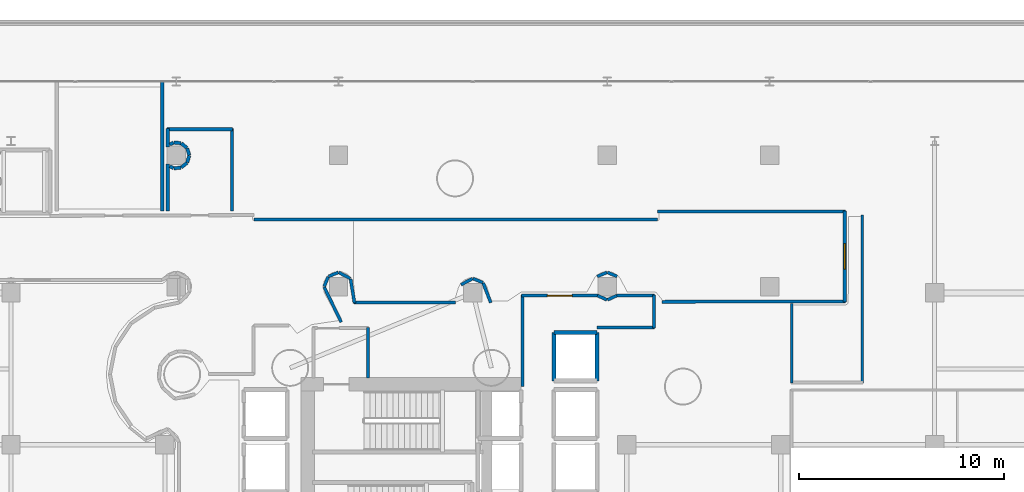
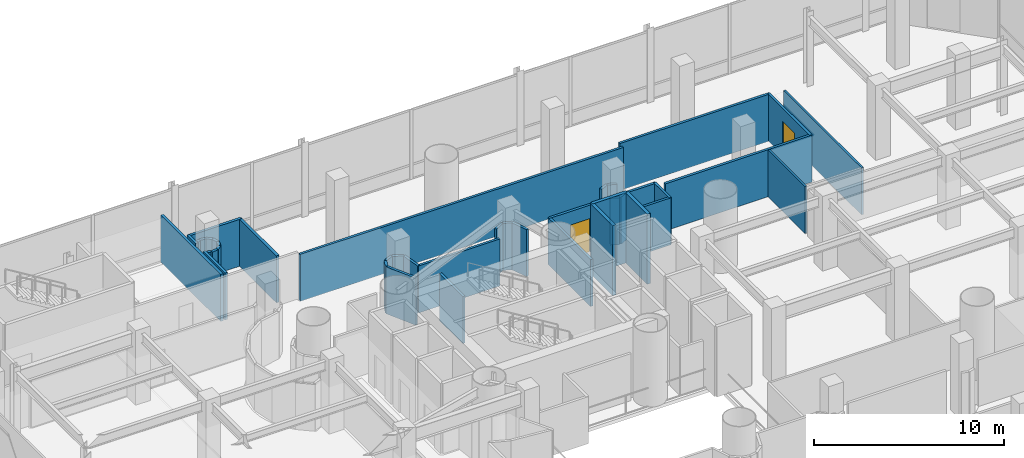
# One storey, part 29 of 39: 41 walls, 2 doors, 2 openings.
"""IFC4 building model written with IfcOpenShell, lengths in metres."""

from ifc_helpers import new_model, si_unit, direction, frame, frame_2d, origin, place, context, subcontext, project, spatial, rectangle, extrude, material, layer, layer_set, type_object, element, fill, save


model = new_model("IFC4")

# Units and contexts
model_context = context("Model", 3, precision=1e-05, world=origin(), true_north=direction((0.0, 1.0)))
body_context = subcontext(model_context, "Body", "Model", "MODEL_VIEW")
ifc_project = project(units=[si_unit("LENGTHUNIT", "METRE"), si_unit("AREAUNIT", "SQUARE_METRE"), si_unit("VOLUMEUNIT", "CUBIC_METRE"), si_unit("PLANEANGLEUNIT", "RADIAN"), si_unit("MASSUNIT", "GRAM", prefix="KILO")], contexts=[model_context])

# Site, building, storey
site_placement = place(None, origin())
site = spatial("IfcSite", under=ifc_project, at=site_placement, CompositionType="ELEMENT")
building_placement = place(site_placement, origin())
building = spatial("IfcBuilding", under=site, at=building_placement, Name="Qianvela Tower", CompositionType="ELEMENT")
storey_placement = place(building_placement, frame((0.0, 0.0, 15.800048828125)))
storey = spatial("IfcBuildingStorey", under=building, at=storey_placement, Name="L03", CompositionType="ELEMENT", Elevation=15.800048828125)

# Walls
ifc_material_1 = material(Name="Fire-Rated Acoustic Gypsum Board")
ifc_layer_1 = layer(ifc_material_1, 0.14990234375)
ifc_layer_set_1 = layer_set([ifc_layer_1], Name="Fire-Rated Acoustic Gypsum Board")
wall_type_1 = type_object("IfcWallType", Name="WT-CORR-150", PredefinedType="PARTITIONING", material=ifc_layer_set_1)
wall_1_placement = place(storey_placement, frame((32.388916015625, 35.52001953125, 0.0), z_axis=(0.0, 0.0, 1.0), x_axis=(0.0, -1.0, 0.0)))
element("IfcWall", 1, at=wall_1_placement, inside=storey, type_object=wall_type_1, Name="L03 Partition 4", PredefinedType="PARTITIONING", context=body_context, shape_type="SweptSolid", body=[
    extrude(rectangle(XDim=2.4619140625, YDim=0.14990234375, at=frame_2d((1.23095703125, 0.0))), origin(), (0.0, 0.0, 1.0), 3.02001953125),
])
wall_2_placement = place(storey_placement, frame((39.910888671875, 32.639892578125, 0.0), z_axis=(0.0, 0.0, 1.0), x_axis=(0.0, 1.0, 0.0)))
element("IfcWall", 2, at=wall_2_placement, inside=storey, type_object=wall_type_1, Name="L03 Partition 14", PredefinedType="PARTITIONING", context=body_context, shape_type="SweptSolid", body=[
    extrude(rectangle(XDim=4.460205078125, YDim=0.14990234375, at=frame_2d((2.22998046875, 0.0))), origin(), (0.0, 0.0, 1.0), 3.02001953125),
])

# Wall, opening, door
wall_3_placement = place(storey_placement, frame((39.8798828125, 37.069091796875, 0.0), z_axis=(0.0, 0.0, 1.0), x_axis=(1.0, 0.0, 0.0)))
wall_3 = element("IfcWall", 3, at=wall_3_placement, inside=storey, type_object=wall_type_1, Name="L03 Partition 15", PredefinedType="PARTITIONING", context=body_context, shape_type="SweptSolid", body=[
    extrude(rectangle(XDim=3.70751953125, YDim=0.14990234375, at=frame_2d((1.853759765625, 0.0))), origin(), (0.0, 0.0, 1.0), 3.02001953125),
])
opening_1_placement = place(wall_3_placement, frame((1.253662109375, 0.0, 0.0)))
opening_1 = element("IfcOpeningElement", 4, at=opening_1_placement, cuts=wall_3, Name="Opening D-LB1", PredefinedType="OPENING", context=body_context, shape_type="SweptSolid", body=[
    extrude(rectangle(XDim=1.199951171875, YDim=2.14990234375, at=frame_2d((0.60009765625, 1.074951171875))), frame((0.0, 0.0849609375, 0.0), z_axis=(0.0, -1.0, 0.0), x_axis=(1.0, 0.0, 0.0)), (0.0, 0.0, 1.0), 0.169921875),
])
ifc_material_2 = material(Name="Glazed Fire-Rated Steel Frame", Category="steel")
door_type_1 = type_object("IfcDoorType", Name="DT-LOBBY-FD90", OperationType="NOTDEFINED", PredefinedType="DOOR", material=ifc_material_2)
door_1_placement = place(opening_1_placement, origin())
door_1 = element("IfcDoor", 5, at=door_1_placement, inside=storey, type_object=door_type_1, Name="L03 Door L03 Lift Lobby to L03 Concourse Gallery Corridor", OperationType="SINGLE_SWING_RIGHT", OverallHeight=2.14990234375, OverallWidth=1.199951171875, PredefinedType="DOOR", context=body_context, shape_type="SweptSolid", body=[
    extrude(rectangle(XDim=1.199951171875, YDim=2.14990234375, at=frame_2d((0.60009765625, 1.074951171875))), frame((0.0, 0.02490234375, 0.0), z_axis=(0.0, -1.0, 0.0), x_axis=(1.0, 0.0, 0.0)), (0.0, 0.0, 1.0), 0.050048828125),
])
fill(opening_1, door_1)

# Walls
for number, where, z_axis, x_axis, name in (
    (6, (43.57470703125, 37.07177734375, 0.0), (0.0, 0.0, 1.0), (0.908696751383, -0.417456840913, 0.0), "L03 Partition 16"),
    (7, (44.0576171875, 36.86181640625, 0.0), (0.0, 0.0, 1.0), (0.908696751383, 0.417456840913, 0.0), "L03 Partition 17"),
):
    element("IfcWall", number, at=place(storey_placement, frame(where, z_axis=z_axis, x_axis=x_axis)), inside=storey, type_object=wall_type_1, Name=name, PredefinedType="PARTITIONING", context=body_context, shape_type="SweptSolid", body=[
        extrude(rectangle(XDim=0.5029296875, YDim=0.14990234375, at=frame_2d((0.25146484375, 0.0))), origin(), (0.0, 0.0, 1.0), 3.02001953125),
    ])
wall_4_placement = place(storey_placement, frame((44.501708984375, 37.069091796875, 0.0), z_axis=(0.0, 0.0, 1.0), x_axis=(1.0, 0.0, 0.0)))
element("IfcWall", 8, at=wall_4_placement, inside=storey, type_object=wall_type_1, Name="L03 Partition 18", PredefinedType="PARTITIONING", context=body_context, shape_type="SweptSolid", body=[
    extrude(rectangle(XDim=1.8583984375, YDim=0.14990234375, at=frame_2d((0.92919921875, 0.0))), origin(), (0.0, 0.0, 1.0), 3.02001953125),
])
wall_5_placement = place(storey_placement, frame((46.3291015625, 37.10009765625, 0.0), z_axis=(0.0, 0.0, 1.0), x_axis=(0.0, -1.0, 0.0)))
element("IfcWall", 9, at=wall_5_placement, inside=storey, type_object=wall_type_1, Name="L03 Partition 19", PredefinedType="PARTITIONING", context=body_context, shape_type="SweptSolid", body=[
    extrude(rectangle(XDim=1.6201171875, YDim=0.14990234375, at=frame_2d((0.81005859375, 0.0))), origin(), (0.0, 0.0, 1.0), 3.02001953125),
])
wall_6_placement = place(storey_placement, frame((46.360107421875, 35.510986328125, 0.0), z_axis=(0.0, 0.0, 1.0), x_axis=(-1.0, 0.0, 0.0)))
element("IfcWall", 10, at=wall_6_placement, inside=storey, type_object=wall_type_1, Name="L03 Partition 20 seg 1", PredefinedType="PARTITIONING", context=body_context, shape_type="SweptSolid", body=[
    extrude(rectangle(XDim=2.81005859375, YDim=0.14990234375, at=frame_2d((1.405029296875, 0.0))), origin(), (0.0, 0.0, 1.0), 3.02001953125),
])
wall_7_placement = place(storey_placement, frame((26.85009765625, 40.76904296875, 0.0), z_axis=(0.0, 0.0, 1.0), x_axis=(1.0, 0.0, 0.0)))
element("IfcWall", 11, at=wall_7_placement, inside=storey, type_object=wall_type_1, Name="L03 Partition 116", PredefinedType="PARTITIONING", context=body_context, shape_type="SweptSolid", body=[
    extrude(rectangle(XDim=19.64990234375, YDim=0.14990234375, at=frame_2d((9.824951171875, 0.0))), origin(), (0.0, 0.0, 1.0), 3.02001953125),
])
wall_8_placement = place(storey_placement, frame((46.5, 41.1689453125, 0.0), z_axis=(0.0, 0.0, 1.0), x_axis=(1.0, 0.0, 0.0)))
element("IfcWall", 12, at=wall_8_placement, inside=storey, type_object=wall_type_1, Name="L03 Partition 117", PredefinedType="PARTITIONING", context=body_context, shape_type="SweptSolid", body=[
    extrude(rectangle(XDim=9.14990234375, YDim=0.14990234375, at=frame_2d((4.574951171875, 0.0))), origin(), (0.0, 0.0, 1.0), 3.02001953125),
])

# Wall, opening, door
wall_9_placement = place(storey_placement, frame((55.618896484375, 41.199951171875, 0.0), z_axis=(0.0, 0.0, 1.0), x_axis=(0.0, -1.0, 0.0)))
wall_9 = element("IfcWall", 13, at=wall_9_placement, inside=storey, type_object=wall_type_1, Name="L03 Partition 118", PredefinedType="PARTITIONING", context=body_context, shape_type="SweptSolid", body=[
    extrude(rectangle(XDim=4.441650390625, YDim=0.14990234375, at=frame_2d((2.220703125, 0.0))), origin(), (0.0, 0.0, 1.0), 3.02001953125),
])
opening_2_placement = place(wall_9_placement, frame((1.595703125, 0.0, 0.0)))
opening_2 = element("IfcOpeningElement", 14, at=opening_2_placement, cuts=wall_9, Name="Opening D-LG1", PredefinedType="OPENING", context=body_context, shape_type="SweptSolid", body=[
    extrude(rectangle(XDim=1.25, YDim=2.199951171875, at=frame_2d((0.625, 1.10009765625))), frame((0.0, 0.0849609375, 0.0), z_axis=(0.0, -1.0, 0.0), x_axis=(1.0, 0.0, 0.0)), (0.0, 0.0, 1.0), 0.169921875),
])
ifc_material_3 = material(Name="Anodised Aluminium Acoustic Glass Door", Category="aluminium")
door_type_2 = type_object("IfcDoorType", Name="DT-LOUNGE-1250", OperationType="NOTDEFINED", PredefinedType="DOOR", material=ifc_material_3)
door_2_placement = place(opening_2_placement, origin())
door_2 = element("IfcDoor", 15, at=door_2_placement, inside=storey, type_object=door_type_2, Name="L03 Door L03 Graduate Seminar Classroom to L03 Concourse Gallery Corridor", OperationType="SINGLE_SWING_LEFT", OverallHeight=2.199951171875, OverallWidth=1.25, PredefinedType="DOOR", context=body_context, shape_type="SweptSolid", body=[
    extrude(rectangle(XDim=1.25, YDim=2.199951171875, at=frame_2d((0.625, 1.10009765625))), frame((0.0, 0.02490234375, 0.0), z_axis=(0.0, -1.0, 0.0), x_axis=(1.0, 0.0, 0.0)), (0.0, 0.0, 1.0), 0.050048828125),
])
fill(opening_2, door_2)

# Walls
wall_10_placement = place(storey_placement, frame((55.64990234375, 36.789306640625, 0.0), z_axis=(0.0, 0.0, 1.0), x_axis=(-0.999996901459, -0.002489391821, 0.0)))
element("IfcWall", 16, at=wall_10_placement, inside=storey, type_object=wall_type_1, Name="L03 Partition 119", PredefinedType="PARTITIONING", context=body_context, shape_type="SweptSolid", body=[
    extrude(rectangle(XDim=8.924560546875, YDim=0.14990234375, at=frame_2d((4.46240234375, 0.0))), origin(), (0.0, 0.0, 1.0), 3.02001953125),
])
wall_11_placement = place(storey_placement, frame((44.5302734375, 38.00244140625, 0.0), z_axis=(0.0, 0.0, 1.0), x_axis=(-0.924045828763, 0.382281710714, 0.0)))
element("IfcWall", 17, at=wall_11_placement, inside=storey, type_object=wall_type_1, Name="L03 Partition 122", PredefinedType="PARTITIONING", context=body_context, shape_type="SweptSolid", body=[
    extrude(rectangle(XDim=0.512939453125, YDim=0.14990234375, at=frame_2d((0.25634765625, 0.0))), origin(), (0.0, 0.0, 1.0), 3.02001953125),
])
wall_12_placement = place(storey_placement, frame((44.03271484375, 38.198486328125, 0.0), z_axis=(0.0, 0.0, 1.0), x_axis=(-0.923976210744, -0.382449947024, 0.0)))
element("IfcWall", 18, at=wall_12_placement, inside=storey, type_object=wall_type_1, Name="L03 Partition 123", PredefinedType="PARTITIONING", context=body_context, shape_type="SweptSolid", body=[
    extrude(rectangle(XDim=0.5126953125, YDim=0.14990234375, at=frame_2d((0.25634765625, 0.0))), origin(), (0.0, 0.0, 1.0), 3.02001953125),
])
wall_13_placement = place(storey_placement, frame((38.372802734375, 36.726318359375, 0.0), z_axis=(0.0, 0.0, 1.0), x_axis=(-0.360220716068, 0.932867105067, 0.0)))
element("IfcWall", 19, at=wall_13_placement, inside=storey, type_object=wall_type_1, Name="L03 Partition 128", PredefinedType="PARTITIONING", context=body_context, shape_type="SweptSolid", body=[
    extrude(rectangle(XDim=1.027587890625, YDim=0.14990234375, at=frame_2d((0.513671875, 0.0))), origin(), (0.0, 0.0, 1.0), 3.02001953125),
])
wall_14_placement = place(storey_placement, frame((37.985595703125, 37.702392578125, 0.0), z_axis=(0.0, 0.0, 1.0), x_axis=(-0.923807847969, 0.382856448334, 0.0)))
element("IfcWall", 20, at=wall_14_placement, inside=storey, type_object=wall_type_1, Name="L03 Partition 129", PredefinedType="PARTITIONING", context=body_context, shape_type="SweptSolid", body=[
    extrude(rectangle(XDim=0.5126953125, YDim=0.14990234375, at=frame_2d((0.25634765625, 0.0))), origin(), (0.0, 0.0, 1.0), 3.02001953125),
])
wall_15_placement = place(storey_placement, frame((37.4853515625, 37.897216796875, 0.0), z_axis=(0.0, 0.0, 1.0), x_axis=(-0.882042462076, -0.471169921679, 0.0)))
element("IfcWall", 21, at=wall_15_placement, inside=storey, type_object=wall_type_1, Name="L03 Partition 130", PredefinedType="PARTITIONING", context=body_context, shape_type="SweptSolid", body=[
    extrude(rectangle(XDim=0.631591796875, YDim=0.14990234375, at=frame_2d((0.31591796875, 0.0))), origin(), (0.0, 0.0, 1.0), 3.02001953125),
])
wall_16_placement = place(storey_placement, frame((36.65478515625, 36.741943359375, 0.0), z_axis=(0.0, 0.0, 1.0), x_axis=(-0.999996836988, -0.00251515701, 0.0)))
element("IfcWall", 22, at=wall_16_placement, inside=storey, type_object=wall_type_1, Name="L03 Partition 132", PredefinedType="PARTITIONING", context=body_context, shape_type="SweptSolid", body=[
    extrude(rectangle(XDim=4.950439453125, YDim=0.14990234375, at=frame_2d((2.47509765625, 0.0))), origin(), (0.0, 0.0, 1.0), 3.02001953125),
])
wall_17_placement = place(storey_placement, frame((31.73486328125, 36.70361328125, 0.0), z_axis=(0.0, 0.0, 1.0), x_axis=(-0.161168629771, 0.986926883197, 0.0)))
element("IfcWall", 23, at=wall_17_placement, inside=storey, type_object=wall_type_1, Name="L03 Partition 133", PredefinedType="PARTITIONING", context=body_context, shape_type="SweptSolid", body=[
    extrude(rectangle(XDim=1.189208984375, YDim=0.14990234375, at=frame_2d((0.5947265625, 0.0))), origin(), (0.0, 0.0, 1.0), 3.02001953125),
])
wall_18_placement = place(storey_placement, frame((31.527099609375, 37.899658203125, 0.0), z_axis=(0.0, 0.0, 1.0), x_axis=(-0.882042462076, 0.471169921679, 0.0)))
element("IfcWall", 24, at=wall_18_placement, inside=storey, type_object=wall_type_1, Name="L03 Partition 134", PredefinedType="PARTITIONING", context=body_context, shape_type="SweptSolid", body=[
    extrude(rectangle(XDim=0.631591796875, YDim=0.14990234375, at=frame_2d((0.31591796875, 0.0))), origin(), (0.0, 0.0, 1.0), 3.02001953125),
])
wall_19_placement = place(storey_placement, frame((30.943603515625, 38.198486328125, 0.0), z_axis=(0.0, 0.0, 1.0), x_axis=(-0.924045828763, -0.382281710714, 0.0)))
element("IfcWall", 25, at=wall_19_placement, inside=storey, type_object=wall_type_1, Name="L03 Partition 135", PredefinedType="PARTITIONING", context=body_context, shape_type="SweptSolid", body=[
    extrude(rectangle(XDim=0.512939453125, YDim=0.14990234375, at=frame_2d((0.25634765625, 0.0))), origin(), (0.0, 0.0, 1.0), 3.02001953125),
])
wall_20_placement = place(storey_placement, frame((30.452880859375, 37.985595703125, 0.0), z_axis=(0.0, 0.0, 1.0), x_axis=(-0.382449947024, -0.923976210744, 0.0)))
element("IfcWall", 26, at=wall_20_placement, inside=storey, type_object=wall_type_1, Name="L03 Partition 136", PredefinedType="PARTITIONING", context=body_context, shape_type="SweptSolid", body=[
    extrude(rectangle(XDim=0.5126953125, YDim=0.14990234375, at=frame_2d((0.25634765625, 0.0))), origin(), (0.0, 0.0, 1.0), 3.02001953125),
])
wall_21_placement = place(storey_placement, frame((30.257568359375, 37.486572265625, 0.0), z_axis=(0.0, 0.0, 1.0), x_axis=(0.435698821732, -0.900092515657, 0.0)))
element("IfcWall", 27, at=wall_21_placement, inside=storey, type_object=wall_type_1, Name="L03 Partition 137", PredefinedType="PARTITIONING", context=body_context, shape_type="SweptSolid", body=[
    extrude(rectangle(XDim=1.897216796875, YDim=0.14990234375, at=frame_2d((0.94873046875, 0.0))), origin(), (0.0, 0.0, 1.0), 3.02001953125),
])
ifc_material_4 = material(Name="Insulated Gypsum Stud Partition")
ifc_layer_2 = layer(ifc_material_4, 0.1201171875)
ifc_layer_set_2 = layer_set([ifc_layer_2], Name="Insulated Gypsum Stud Partition")
wall_type_2 = type_object("IfcWallType", Name="WT-PART-120", PredefinedType="PARTITIONING", material=ifc_layer_set_2)
wall_22_placement = place(storey_placement, frame((53.031005859375, 32.800048828125, 0.0), z_axis=(0.0, 0.0, 1.0), x_axis=(0.0, 1.0, 0.0)))
element("IfcWall", 28, at=wall_22_placement, inside=storey, type_object=wall_type_2, Name="L03 Partition 231", PredefinedType="PARTITIONING", context=body_context, shape_type="SweptSolid", body=[
    extrude(rectangle(XDim=3.8896484375, YDim=0.1201171875, at=frame_2d((1.94482421875, 0.0))), origin(), (0.0, 0.0, 1.0), 3.02001953125),
])
wall_23_placement = place(storey_placement, frame((56.468994140625, 41.0, 0.0), z_axis=(0.0, 0.0, 1.0), x_axis=(0.0, -1.0, 0.0)))
element("IfcWall", 29, at=wall_23_placement, inside=storey, type_object=wall_type_2, Name="L03 Partition 234", PredefinedType="PARTITIONING", context=body_context, shape_type="SweptSolid", body=[
    extrude(rectangle(XDim=8.199951171875, YDim=0.1201171875, at=frame_2d((4.10009765625, 0.0))), origin(), (0.0, 0.0, 1.0), 3.02001953125),
])
ifc_material_5 = material(Name="Sanitary Service Chase Partition")
ifc_layer_3 = layer(ifc_material_5, 0.1650390625)
ifc_layer_set_3 = layer_set([ifc_layer_3], Name="Sanitary Service Chase Partition")
wall_type_3 = type_object("IfcWallType", Name="WT-PLUMB-165", PredefinedType="PLUMBINGWALL", material=ifc_layer_set_3)
wall_24_placement = place(storey_placement, frame((22.631103515625, 41.199951171875, 0.0), z_axis=(0.0, 0.0, 1.0), x_axis=(0.0, 1.0, 0.0)))
element("IfcWall", 30, at=wall_24_placement, inside=storey, type_object=wall_type_3, Name="L03 Partition 183", PredefinedType="PLUMBINGWALL", context=body_context, shape_type="SweptSolid", body=[
    extrude(rectangle(XDim=2.284912109375, YDim=0.1650390625, at=frame_2d((1.142578125, 0.0))), origin(), (0.0, 0.0, 1.0), 3.02001953125),
])
wall_25_placement = place(storey_placement, frame((22.739013671875, 43.37109375, 0.0), z_axis=(0.0, 0.0, 1.0), x_axis=(0.871509219389, -0.490379119172, 0.0)))
element("IfcWall", 31, at=wall_25_placement, inside=storey, type_object=wall_type_3, Name="L03 Partition 184", PredefinedType="PLUMBINGWALL", context=body_context, shape_type="SweptSolid", body=[
    extrude(rectangle(XDim=0.196533203125, YDim=0.1650390625, at=frame_2d((0.09814453125, 0.0))), origin(), (0.0, 0.0, 1.0), 3.02001953125),
])
wall_26_placement = place(storey_placement, frame((22.9287109375, 43.27099609375, 0.0), z_axis=(0.0, 0.0, 1.0), x_axis=(0.995193004206, 0.097933060705, 0.0)))
element("IfcWall", 32, at=wall_26_placement, inside=storey, type_object=wall_type_3, Name="L03 Partition 185", PredefinedType="PLUMBINGWALL", context=body_context, shape_type="SweptSolid", body=[
    extrude(rectangle(XDim=0.35400390625, YDim=0.1650390625, at=frame_2d((0.177001953125, 0.0))), origin(), (0.0, 0.0, 1.0), 3.02001953125),
])
for number, where, z_axis, x_axis, name in (
    (33, (23.297607421875, 43.3125, 0.0), (0.0, 0.0, 1.0), (0.773281307259, 0.634063103992, 0.0), "L03 Partition 186"),
    (34, (23.58154296875, 43.552001953125, 0.0), (0.0, 0.0, 1.0), (0.290064762301, 0.957007018611, 0.0), "L03 Partition 187"),
):
    element("IfcWall", number, at=place(storey_placement, frame(where, z_axis=z_axis, x_axis=x_axis)), inside=storey, type_object=wall_type_3, Name=name, PredefinedType="PLUMBINGWALL", context=body_context, shape_type="SweptSolid", body=[
        extrude(rectangle(XDim=0.354248046875, YDim=0.1650390625, at=frame_2d((0.17724609375, 0.0))), origin(), (0.0, 0.0, 1.0), 3.02001953125),
    ])
wall_27_placement = place(storey_placement, frame((23.684326171875, 43.908935546875, 0.0), z_axis=(0.0, 0.0, 1.0), x_axis=(-0.290256142171, 0.956948991291, 0.0)))
element("IfcWall", 35, at=wall_27_placement, inside=storey, type_object=wall_type_3, Name="L03 Partition 188", PredefinedType="PLUMBINGWALL", context=body_context, shape_type="SweptSolid", body=[
    extrude(rectangle(XDim=0.35400390625, YDim=0.1650390625, at=frame_2d((0.177001953125, 0.0))), origin(), (0.0, 0.0, 1.0), 3.02001953125),
])
wall_28_placement = place(storey_placement, frame((23.571533203125, 44.262939453125, 0.0), z_axis=(0.0, 0.0, 1.0), x_axis=(-0.773281307259, 0.634063103992, 0.0)))
element("IfcWall", 36, at=wall_28_placement, inside=storey, type_object=wall_type_3, Name="L03 Partition 189", PredefinedType="PLUMBINGWALL", context=body_context, shape_type="SweptSolid", body=[
    extrude(rectangle(XDim=0.354248046875, YDim=0.1650390625, at=frame_2d((0.17724609375, 0.0))), origin(), (0.0, 0.0, 1.0), 3.02001953125),
])
wall_29_placement = place(storey_placement, frame((23.281005859375, 44.494384765625, 0.0), z_axis=(0.0, 0.0, 1.0), x_axis=(-0.995193004206, 0.097933060705, 0.0)))
element("IfcWall", 37, at=wall_29_placement, inside=storey, type_object=wall_type_3, Name="L03 Partition 190", PredefinedType="PLUMBINGWALL", context=body_context, shape_type="SweptSolid", body=[
    extrude(rectangle(XDim=0.35400390625, YDim=0.1650390625, at=frame_2d((0.177001953125, 0.0))), origin(), (0.0, 0.0, 1.0), 3.02001953125),
])
wall_30_placement = place(storey_placement, frame((22.910400390625, 44.525390625, 0.0), z_axis=(0.0, 0.0, 1.0), x_axis=(-0.871509219389, -0.490379119172, 0.0)))
element("IfcWall", 38, at=wall_30_placement, inside=storey, type_object=wall_type_3, Name="L03 Partition 191", PredefinedType="PLUMBINGWALL", context=body_context, shape_type="SweptSolid", body=[
    extrude(rectangle(XDim=0.196533203125, YDim=0.1650390625, at=frame_2d((0.09814453125, 0.0))), origin(), (0.0, 0.0, 1.0), 3.02001953125),
])
wall_31_placement = place(storey_placement, frame((22.631103515625, 44.315185546875, 0.0), z_axis=(0.0, 0.0, 1.0), x_axis=(0.0, 1.0, 0.0)))
element("IfcWall", 39, at=wall_31_placement, inside=storey, type_object=wall_type_3, Name="L03 Partition 192", PredefinedType="PLUMBINGWALL", context=body_context, shape_type="SweptSolid", body=[
    extrude(rectangle(XDim=0.884765625, YDim=0.1650390625, at=frame_2d((0.4423828125, 0.0))), origin(), (0.0, 0.0, 1.0), 3.02001953125),
])
wall_32_placement = place(storey_placement, frame((22.60009765625, 45.1689453125, 0.0), z_axis=(0.0, 0.0, 1.0), x_axis=(1.0, 0.0, 0.0)))
element("IfcWall", 40, at=wall_32_placement, inside=storey, type_object=wall_type_3, Name="L03 Partition 193", PredefinedType="PLUMBINGWALL", context=body_context, shape_type="SweptSolid", body=[
    extrude(rectangle(XDim=3.199951171875, YDim=0.1650390625, at=frame_2d((1.60009765625, 0.0))), origin(), (0.0, 0.0, 1.0), 3.02001953125),
])
wall_33_placement = place(storey_placement, frame((25.76904296875, 45.199951171875, 0.0), z_axis=(0.0, 0.0, 1.0), x_axis=(0.0, -1.0, 0.0)))
element("IfcWall", 41, at=wall_33_placement, inside=storey, type_object=wall_type_3, Name="L03 Partition 194", PredefinedType="PLUMBINGWALL", context=body_context, shape_type="SweptSolid", body=[
    extrude(rectangle(XDim=4.0, YDim=0.1650390625, at=frame_2d((2.0, 0.0))), origin(), (0.0, 0.0, 1.0), 3.02001953125),
])
wall_34_placement = place(storey_placement, frame((22.368896484375, 47.52001953125, 0.0), z_axis=(0.0, 0.0, 1.0), x_axis=(0.0, -1.0, 0.0)))
element("IfcWall", 42, at=wall_34_placement, inside=storey, type_object=wall_type_3, Name="L03 Partition 257 seg 1", PredefinedType="PLUMBINGWALL", context=body_context, shape_type="SweptSolid", body=[
    extrude(rectangle(XDim=6.320068359375, YDim=0.1650390625, at=frame_2d((3.16015625, 0.0))), origin(), (0.0, 0.0, 1.0), 3.02001953125),
])
ifc_material_6 = material(Name="Concrete C50", Category="concrete")
ifc_layer_4 = layer(ifc_material_6, 0.199951171875)
ifc_layer_set_4 = layer_set([ifc_layer_4], Name="Concrete C50")
wall_type_4 = type_object("IfcWallType", Name="WT-SHAFT-200", PredefinedType="SOLIDWALL", material=ifc_layer_set_4)
for number, where, z_axis, x_axis, name in (
    (43, (43.550048828125, 32.919921875, 0.0), (0.0, 0.0, 1.0), (0.0, 1.0, 0.0), "L03 Lift PL-H3 E Shaft Wall"),
    (44, (41.449951171875, 32.919921875, 0.0), (0.0, 0.0, 1.0), (0.0, 1.0, 0.0), "L03 Lift PL-H3 W Shaft Wall"),
):
    element("IfcWall", number, at=place(storey_placement, frame(where, z_axis=z_axis, x_axis=x_axis)), inside=storey, type_object=wall_type_4, Name=name, PredefinedType="SOLIDWALL", context=body_context, shape_type="SweptSolid", body=[
        extrude(rectangle(XDim=2.360107421875, YDim=0.199951171875, at=frame_2d((1.18017578125, 0.0))), origin(), (0.0, 0.0, 1.0), 4.5),
    ])
wall_35_placement = place(storey_placement, frame((41.449951171875, 35.280029296875, 0.0), z_axis=(0.0, 0.0, 1.0), x_axis=(1.0, 0.0, 0.0)))
element("IfcWall", 45, at=wall_35_placement, inside=storey, type_object=wall_type_4, Name="L03 Lift PL-H3 N Shaft Wall", PredefinedType="SOLIDWALL", context=body_context, shape_type="SweptSolid", body=[
    extrude(rectangle(XDim=2.10009765625, YDim=0.199951171875, at=frame_2d((1.050048828125, 0.0))), origin(), (0.0, 0.0, 1.0), 4.5),
])

save(model, "model.ifc")
